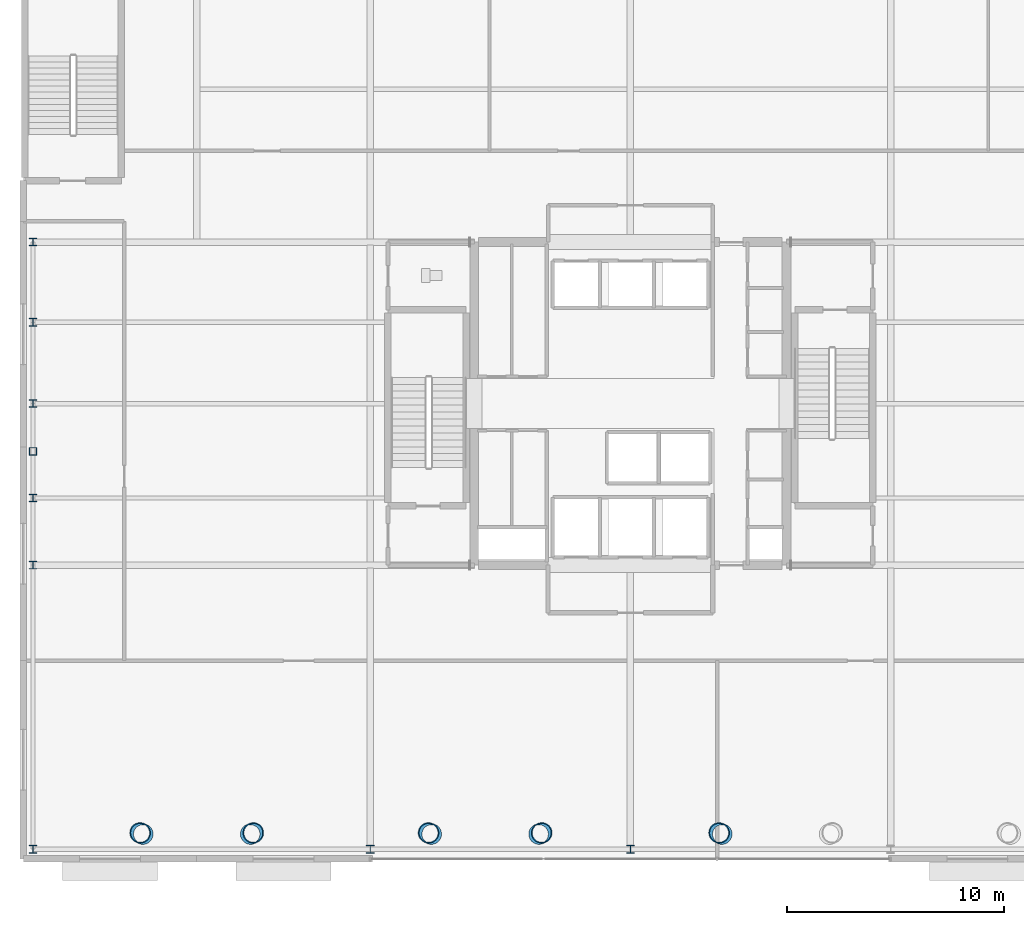
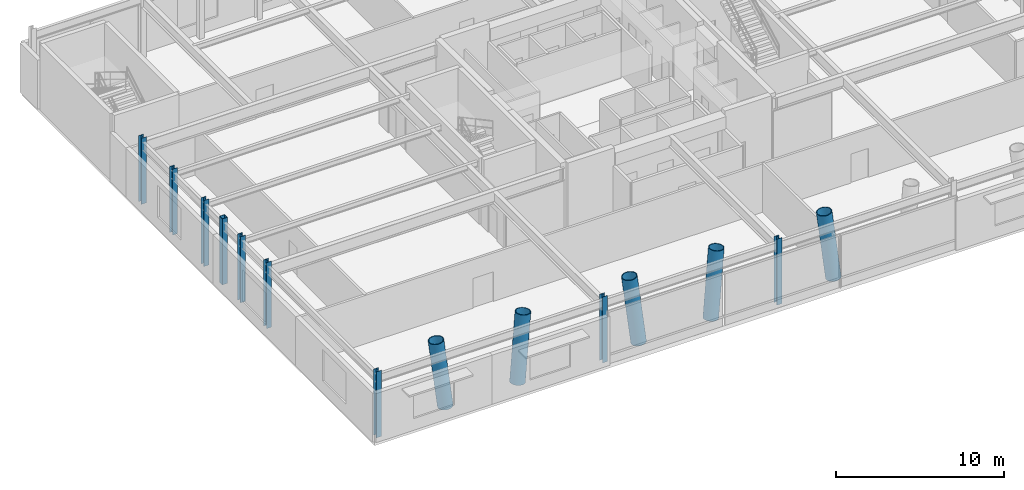
# One storey, part 1 of 22: 14 columns.
"""IFC4 building model written with IfcOpenShell, lengths in metres."""

from ifc_helpers import new_model, si_unit, direction, frame, origin, origin_2d, place, context, subcontext, project, spatial, hollow_rectangle, hollow_circle, i_section, extrude, material, material_profile, profile_set, type_object, element, save


model = new_model("IFC4")

# Units and contexts
model_context = context("Model", 3, precision=1e-05, world=origin(), true_north=direction((0.0, 1.0)))
body_context = subcontext(model_context, "Body", "Model", "MODEL_VIEW")
ifc_project = project(units=[si_unit("LENGTHUNIT", "METRE"), si_unit("AREAUNIT", "SQUARE_METRE"), si_unit("VOLUMEUNIT", "CUBIC_METRE"), si_unit("PLANEANGLEUNIT", "RADIAN"), si_unit("MASSUNIT", "GRAM", prefix="KILO")], contexts=[model_context])

# Site, building, storey
site_placement = place(None, origin())
site = spatial("IfcSite", under=ifc_project, at=site_placement, CompositionType="ELEMENT")
building_placement = place(site_placement, origin())
building = spatial("IfcBuilding", under=site, at=building_placement, Name="Veldorina Hangang Commons", CompositionType="ELEMENT")
storey_placement = place(building_placement, frame((0.0, 0.0, 14.800048828125)))
storey = spatial("IfcBuildingStorey", under=building, at=storey_placement, Name="L03", CompositionType="ELEMENT", Elevation=14.800048828125)

# Columns
ifc_material_1 = material(Name="Steel SM420-TMC", Category="steel")
ifc_material_profile_1 = material_profile(ifc_material_1, i_section(OverallWidth=0.35009765625, OverallDepth=0.35009765625, WebThickness=0.011962890625, FlangeThickness=0.01904296875, FilletRadius=0.01611328125, at=origin_2d()), Name="H-350x350x12x19")
ifc_profile_set_1 = profile_set([ifc_material_profile_1], Name="Steel SM420-TMC")
column_type_1 = type_object("IfcColumnType", Name="COL-H350", PredefinedType="COLUMN", material=ifc_profile_set_1)
for number, where, z_axis, x_axis, name in (
    (1, (4.449951171875, 3.449951171875, 0.0), (0.0, 0.0, 1.0), (1.0, 0.0, 0.0), "L03 structural column S1"),
    (2, (20.0, 3.449951171875, 0.0), (0.0, 0.0, 1.0), (1.0, 0.0, 0.0), "L03 structural column S3"),
    (3, (32.0, 3.449951171875, 0.0), (0.0, 0.0, 1.0), (1.0, 0.0, 0.0), "L03 structural column S4"),
    (4, (4.449951171875, 16.550048828125, 0.0), (0.0, 0.0, 1.0), (1.0, 0.0, 0.0), "L03 structural column W1"),
    (5, (4.449951171875, 19.64990234375, 0.0), (0.0, 0.0, 1.0), (1.0, 0.0, 0.0), "L03 structural column W2"),
    (6, (4.449951171875, 24.0, 0.0), (0.0, 0.0, 1.0), (1.0, 0.0, 0.0), "L03 structural column W3"),
    (7, (4.449951171875, 27.75, 0.0), (0.0, 0.0, 1.0), (1.0, 0.0, 0.0), "L03 structural column W4"),
    (8, (4.449951171875, 31.449951171875, 0.0), (0.0, 0.0, 1.0), (1.0, 0.0, 0.0), "L03 structural column W5"),
):
    element("IfcColumn", number, at=place(storey_placement, frame(where, z_axis=z_axis, x_axis=x_axis)), inside=storey, type_object=column_type_1, Name=name, PredefinedType="COLUMN", context=body_context, shape_type="SweptSolid", body=[
        extrude(i_section(OverallWidth=0.35009765625, OverallDepth=0.35009765625, WebThickness=0.011962890625, FlangeThickness=0.01904296875, FilletRadius=0.01611328125, at=origin_2d()), origin(), (0.0, 0.0, 1.0), 4.800048828125),
    ])
ifc_material_2 = material(Name="Steel SM355-TMC", Category="steel")
ifc_material_profile_2 = material_profile(ifc_material_2, hollow_rectangle(XDim=0.35009765625, YDim=0.35009765625, WallThickness=0.01611328125, at=origin_2d()), Name="SHS-350x350x16")
ifc_profile_set_2 = profile_set([ifc_material_profile_2], Name="Steel SM355-TMC")
column_type_2 = type_object("IfcColumnType", Name="COL-PIL-350", PredefinedType="PILASTER", material=ifc_profile_set_2)
column_placement = place(storey_placement, frame((4.449951171875, 21.800048828125, 0.0), z_axis=(0.0, 0.0, 1.0), x_axis=(1.0, 0.0, 0.0)))
element("IfcColumn", 9, at=column_placement, inside=storey, type_object=column_type_2, Name="L03 rationalist colonnade pilaster 3", PredefinedType="PILASTER", context=body_context, shape_type="SweptSolid", body=[
    extrude(hollow_rectangle(XDim=0.35009765625, YDim=0.35009765625, WallThickness=0.01611328125, at=origin_2d()), origin(), (0.0, 0.0, 1.0), 4.800048828125),
])
ifc_material_3 = material(Name="Steel SM490-TMC", Category="steel")
ifc_material_profile_3 = material_profile(ifc_material_3, hollow_circle(Radius=0.47509765625, WallThickness=0.044921875, at=origin_2d()), Name="CHS-950x45")
ifc_profile_set_3 = profile_set([ifc_material_profile_3], Name="Steel SM490-TMC")
column_type_3 = type_object("IfcColumnType", Name="COL-VC950", PredefinedType="COLUMN", material=ifc_profile_set_3)
for number, where, z_axis, x_axis, name in (
    (10, (9.51513671875, 4.1474609375, 0.0), (-0.105040667994, 0.046836315166, 0.993364393186), (-0.407238706506, -0.913321759252, 0.0), "L03 sculptural V-column VC-1 leg L"),
    (11, (14.48486328125, 4.1474609375, 0.0), (0.105040667994, 0.046836315166, 0.993364393186), (-0.407238706506, 0.913321759252, 0.0), "L03 sculptural V-column VC-1 leg R"),
    (12, (22.815185546875, 4.1474609375, 0.0), (-0.105040667994, 0.046836315166, 0.993364393186), (-0.407238706506, -0.913321759252, 0.0), "L03 sculptural V-column VC-2 leg L"),
    (13, (27.784912109375, 4.1474609375, 0.0), (0.105040667994, 0.046836315166, 0.993364393186), (-0.407238706506, 0.913321759252, 0.0), "L03 sculptural V-column VC-2 leg R"),
    (14, (36.215087890625, 4.1474609375, 0.0), (-0.105040667994, 0.046836315166, 0.993364393186), (-0.407238706506, -0.913321759252, 0.0), "L03 sculptural V-column VC-3 leg L"),
):
    element("IfcColumn", number, at=place(storey_placement, frame(where, z_axis=z_axis, x_axis=x_axis)), inside=storey, type_object=column_type_3, Name=name, PredefinedType="COLUMN", context=body_context, shape_type="SweptSolid", body=[
        extrude(hollow_circle(Radius=0.47509765625, WallThickness=0.044921875, at=origin_2d()), origin(), (0.0, 0.0, 1.0), 4.83203125),
    ])

save(model, "model.ifc")
